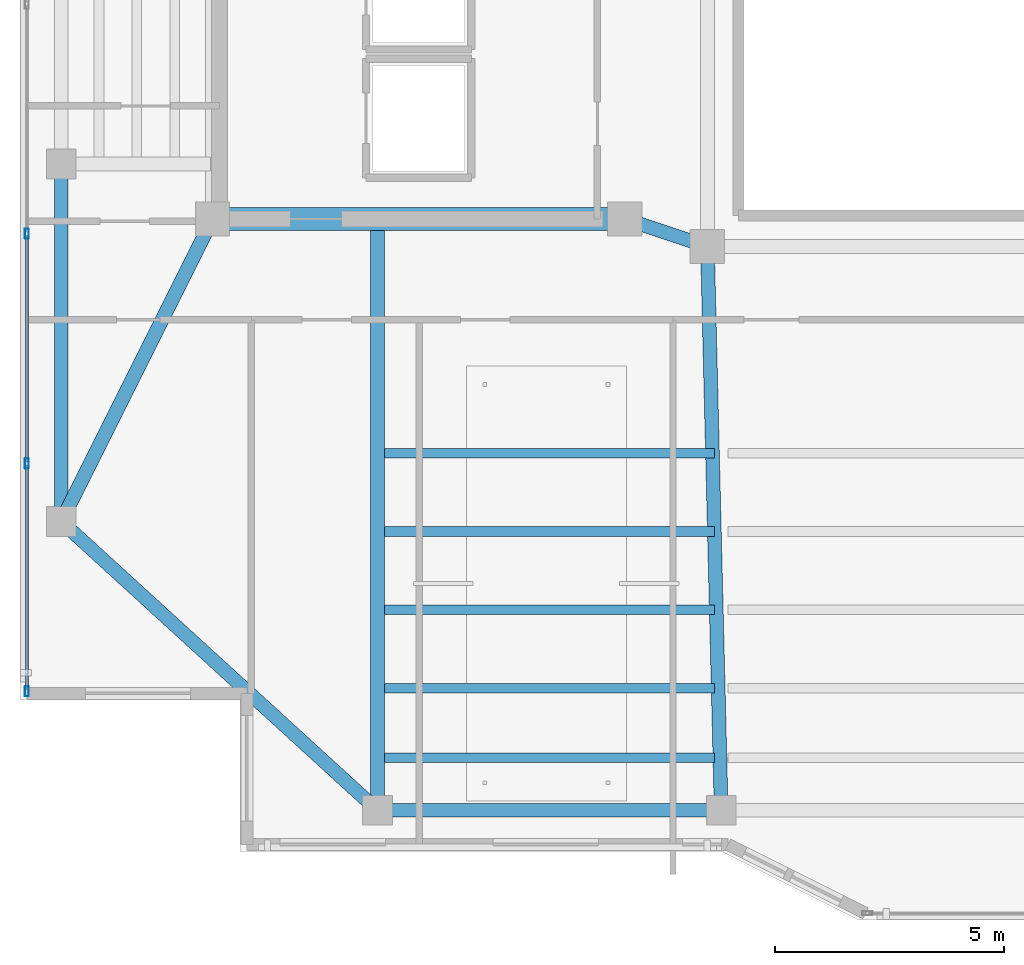
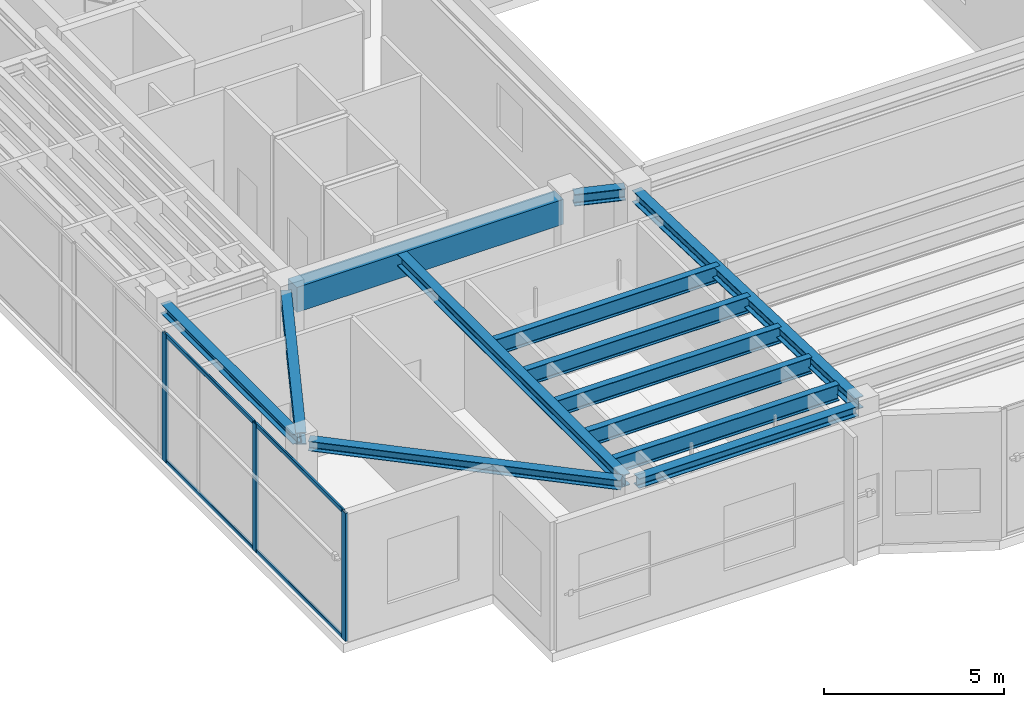
# One storey, part 2 of 25: 13 beams, 7 members, 1 element without a shape of its own.
"""IFC4 building model written with IfcOpenShell, lengths in metres."""

from ifc_helpers import new_model, si_unit, direction, frame, origin, origin_2d, place, context, subcontext, project, spatial, rectangle, hollow_rectangle, i_section, extrude, material, layer, layer_set, material_profile, profile_set, type_object, element, aggregate, save


model = new_model("IFC4")

# Units and contexts
model_context = context("Model", 3, precision=1e-05, world=origin(), true_north=direction((0.0, 1.0)))
body_context = subcontext(model_context, "Body", "Model", "MODEL_VIEW")
ifc_project = project(units=[si_unit("LENGTHUNIT", "METRE"), si_unit("AREAUNIT", "SQUARE_METRE"), si_unit("VOLUMEUNIT", "CUBIC_METRE"), si_unit("PLANEANGLEUNIT", "RADIAN"), si_unit("MASSUNIT", "GRAM", prefix="KILO")], contexts=[model_context])

# Site, building, storey
site_placement = place(None, origin())
site = spatial("IfcSite", under=ifc_project, at=site_placement, CompositionType="ELEMENT")
building_placement = place(site_placement, origin())
building = spatial("IfcBuilding", under=site, at=building_placement, Name="Tarnavaz Court Tower", CompositionType="ELEMENT")
storey_placement = place(building_placement, frame((0.0, 0.0, 271.64990234375)))
storey = spatial("IfcBuildingStorey", under=building, at=storey_placement, Name="L74", CompositionType="ELEMENT", Elevation=271.64990234375)

# Beams
ifc_material_1 = material(Name="Concrete C50/60", Category="concrete")
ifc_material_profile_1 = material_profile(ifc_material_1, rectangle(XDim=0.5, YDim=0.85009765625, at=origin_2d()), Name="RC 500X850")
ifc_profile_set_1 = profile_set([ifc_material_profile_1], Name="Concrete C50/60")
beam_type_1 = type_object("IfcBeamType", Name="BM-CB850", PredefinedType="LINTEL", material=ifc_profile_set_1)
beam_1_placement = place(storey_placement, frame((-18.3798828125, -7.199951171875, 3.925048828125), z_axis=(1.0, 0.0, 0.0), x_axis=(0.0, 1.0, 0.0)))
element("IfcBeam", 1, at=beam_1_placement, inside=storey, type_object=beam_type_1, Name="L74 Beam IN-CW-SO-CW-SI", PredefinedType="LINTEL", context=body_context, shape_type="SweptSolid", body=[
    extrude(rectangle(XDim=0.5, YDim=0.85009765625, at=origin_2d()), origin(), (0.0, 0.0, 1.0), 8.559814453125),
])
ifc_material_2 = material(Name="Steel S355", Category="steel")
ifc_material_profile_2 = material_profile(ifc_material_2, i_section(OverallWidth=0.300048828125, OverallDepth=0.39990234375, WebThickness=0.013427734375, FlangeThickness=0.02392578125, FilletRadius=0.027099609375, at=origin_2d()), Name="HEB 400")
ifc_profile_set_2 = profile_set([ifc_material_profile_2], Name="Steel S355")
beam_type_2 = type_object("IfcBeamType", Name="BM-G-HEB400", PredefinedType="USERDEFINED", material=ifc_profile_set_2)
beam_2_placement = place(storey_placement, frame((-9.391357421875, -7.26953125, 4.150146484375), z_axis=(0.948666544706, -0.316278021615, 0.0), x_axis=(0.316278021615, 0.948666544706, 0.0)))
element("IfcBeam", 2, at=beam_2_placement, inside=storey, type_object=beam_type_2, Name="L74 Beam IN-CW-SI-IW-SW", ObjectType="GIRDER", PredefinedType="USERDEFINED", context=body_context, shape_type="SweptSolid", body=[
    extrude(i_section(OverallWidth=0.300048828125, OverallDepth=0.39990234375, WebThickness=0.013427734375, FlangeThickness=0.02392578125, FilletRadius=0.027099609375, at=origin_2d()), origin(), (0.0, 0.0, 1.0), 1.457275390625),
])
beam_3_placement = place(storey_placement, frame((-15.0, -7.239990234375, 4.150146484375), z_axis=(0.0, -1.0, 0.0), x_axis=(1.0, 0.0, 0.0)))
element("IfcBeam", 3, at=beam_3_placement, inside=storey, type_object=beam_type_2, Name="L74 Beam RG-05", ObjectType="GIRDER", PredefinedType="USERDEFINED", context=body_context, shape_type="SweptSolid", body=[
    extrude(i_section(OverallWidth=0.300048828125, OverallDepth=0.39990234375, WebThickness=0.013427734375, FlangeThickness=0.02392578125, FilletRadius=0.027099609375, at=origin_2d()), origin(), (0.0, 0.0, 1.0), 12.639892578125),
])
beam_4_placement = place(storey_placement, frame((-7.794677734375, -8.02001953125, 4.150146484375), z_axis=(0.024386002211, -0.99970261723, 0.0), x_axis=(0.99970261723, 0.024386002211, 0.0)))
element("IfcBeam", 4, at=beam_4_placement, inside=storey, type_object=beam_type_2, Name="L74 Beam RG-06", ObjectType="GIRDER", PredefinedType="USERDEFINED", context=body_context, shape_type="SweptSolid", body=[
    extrude(i_section(OverallWidth=0.300048828125, OverallDepth=0.39990234375, WebThickness=0.013427734375, FlangeThickness=0.02392578125, FilletRadius=0.027099609375, at=origin_2d()), origin(), (0.0, 0.0, 1.0), 11.863525390625),
])
beam_5_placement = place(storey_placement, frame((-18.698486328125, -7.396728515625, 4.150146484375), z_axis=(-0.447185448279, -0.894441264057, 0.0), x_axis=(0.894441264057, -0.447185448279, 0.0)))
element("IfcBeam", 5, at=beam_5_placement, inside=storey, type_object=beam_type_2, Name="L74 Beam RG-15", ObjectType="GIRDER", PredefinedType="USERDEFINED", context=body_context, shape_type="SweptSolid", body=[
    extrude(i_section(OverallWidth=0.300048828125, OverallDepth=0.39990234375, WebThickness=0.013427734375, FlangeThickness=0.02392578125, FilletRadius=0.027099609375, at=origin_2d()), origin(), (0.0, 0.0, 1.0), 6.93896484375),
])
ifc_material_profile_3 = material_profile(ifc_material_2, i_section(OverallWidth=0.2099609375, OverallDepth=0.550048828125, WebThickness=0.010986328125, FlangeThickness=0.01708984375, FilletRadius=0.02392578125, at=origin_2d()), Name="IPE 550")
ifc_profile_set_3 = profile_set([ifc_material_profile_3], Name="Steel S355")
beam_type_3 = type_object("IfcBeamType", Name="BM-J-IPE550", PredefinedType="JOIST", material=ifc_profile_set_3)
for number, where, z_axis, x_axis, name in (
    (6, (-14.85009765625, -12.31005859375, 4.0751953125), (1.0, 0.0, 0.0), (0.0, 1.0, 0.0), "L74 Beam JS1-1"),
    (7, (-14.85009765625, -14.02001953125, 4.0751953125), (1.0, 0.0, 0.0), (0.0, 1.0, 0.0), "L74 Beam JS2-1"),
    (8, (-14.85009765625, -15.72998046875, 4.0751953125), (1.0, 0.0, 0.0), (0.0, 1.0, 0.0), "L74 Beam JS3-1"),
    (9, (-14.85009765625, -17.43994140625, 4.0751953125), (1.0, 0.0, 0.0), (0.0, 1.0, 0.0), "L74 Beam JS4-1"),
    (10, (-14.85009765625, -18.9599609375, 4.0751953125), (1.0, 0.0, 0.0), (0.0, 1.0, 0.0), "L74 Beam JS5-1"),
):
    element("IfcBeam", number, at=place(storey_placement, frame(where, z_axis=z_axis, x_axis=x_axis)), inside=storey, type_object=beam_type_3, Name=name, PredefinedType="JOIST", context=body_context, shape_type="SweptSolid", body=[
        extrude(i_section(OverallWidth=0.2099609375, OverallDepth=0.550048828125, WebThickness=0.010986328125, FlangeThickness=0.01708984375, FilletRadius=0.02392578125, at=origin_2d()), origin(), (0.0, 0.0, 1.0), 7.2001953125),
    ])
ifc_material_profile_4 = material_profile(ifc_material_2, i_section(OverallWidth=0.300048828125, OverallDepth=0.330078125, WebThickness=0.009521484375, FlangeThickness=0.0166015625, FilletRadius=0.027099609375, at=origin_2d()), Name="HEA 340")
ifc_profile_set_4 = profile_set([ifc_material_profile_4], Name="Steel S355")
beam_type_4 = type_object("IfcBeamType", Name="BM-SP-HEA340", PredefinedType="BEAM", material=ifc_profile_set_4)
beam_6_placement = place(storey_placement, frame((-14.780029296875, -20.10009765625, 4.18505859375), z_axis=(1.0, 0.0, 0.0), x_axis=(0.0, 1.0, 0.0)))
element("IfcBeam", 11, at=beam_6_placement, inside=storey, type_object=beam_type_4, Name="L74 Beam PR-PS-1-PS-2", PredefinedType="BEAM", context=body_context, shape_type="SweptSolid", body=[
    extrude(i_section(OverallWidth=0.300048828125, OverallDepth=0.330078125, WebThickness=0.009521484375, FlangeThickness=0.0166015625, FilletRadius=0.027099609375, at=origin_2d()), origin(), (0.0, 0.0, 1.0), 7.06005859375),
])
beam_7_placement = place(storey_placement, frame((-21.89990234375, -13.580078125, 4.18505859375), z_axis=(0.0, 1.0, 0.0), x_axis=(-1.0, 0.0, 0.0)))
element("IfcBeam", 12, at=beam_7_placement, inside=storey, type_object=beam_type_4, Name="L74 Beam PR-PW-1-PW-2", PredefinedType="BEAM", context=body_context, shape_type="SweptSolid", body=[
    extrude(i_section(OverallWidth=0.300048828125, OverallDepth=0.330078125, WebThickness=0.009521484375, FlangeThickness=0.0166015625, FilletRadius=0.027099609375, at=origin_2d()), origin(), (0.0, 0.0, 1.0), 7.360107421875),
])
beam_8_placement = place(storey_placement, frame((-15.16259765625, -19.95166015625, 4.18505859375), z_axis=(-0.738474214476, 0.674281717499, 0.0), x_axis=(-0.674281717499, -0.738474214476, 0.0)))
element("IfcBeam", 13, at=beam_8_placement, inside=storey, type_object=beam_type_4, Name="L74 Beam PR-PS-1-PW-1", PredefinedType="BEAM", context=body_context, shape_type="SweptSolid", body=[
    extrude(i_section(OverallWidth=0.300048828125, OverallDepth=0.330078125, WebThickness=0.009521484375, FlangeThickness=0.0166015625, FilletRadius=0.027099609375, at=origin_2d()), origin(), (0.0, 0.0, 1.0), 8.9033203125),
])

# Curtain wall, members
ifc_material_3 = material(Name="Anodised Aluminium 6063-T6 and Solar Low-E Glazing", Category="aluminium")
ifc_layer = layer(ifc_material_3, 0.2099609375)
ifc_layer_set = layer_set([ifc_layer], Name="Anodised Aluminium 6063-T6 and Solar Low-E Glazing")
curtain_wall_type = type_object("IfcCurtainWallType", Name="CW-SYS-06", PredefinedType="NOTDEFINED", material=ifc_layer_set)
curtain_wall_placement = place(storey_placement, origin())
curtain_wall = element("IfcCurtainWall", 14, at=curtain_wall_placement, inside=storey, type_object=curtain_wall_type, Name="L74 Observation Curtain Wall 2", PredefinedType="NOTDEFINED")
ifc_material_4 = material(Name="Anodised Aluminium 6063-T6", Category="aluminium")
ifc_material_profile_5 = material_profile(ifc_material_4, hollow_rectangle(XDim=0.0849609375, YDim=0.219970703125, WallThickness=0.006103515625, InnerFilletRadius=0.006103515625, OuterFilletRadius=0.011962890625, at=origin_2d()), Name="ALU RHS 220X85X6")
ifc_profile_set_5 = profile_set([ifc_material_profile_5], Name="Anodised Aluminium 6063-T6")
member_type_1 = type_object("IfcMemberType", Name="CW-MUL-220", PredefinedType="MULLION", material=ifc_profile_set_5)
member_1_placement = place(storey_placement, frame((-22.64990234375, -17.507568359375, 0.0), z_axis=(0.0, 0.0, 1.0), x_axis=(-1.0, 0.0, 0.0)))
member_1 = element("IfcMember", 15, at=member_1_placement, type_object=member_type_1, Name="CW mullion 1", PredefinedType="MULLION", context=body_context, shape_type="SweptSolid", body=[
    extrude(hollow_rectangle(XDim=0.0849609375, YDim=0.219970703125, WallThickness=0.006103515625, InnerFilletRadius=0.006103515625, OuterFilletRadius=0.011962890625, at=origin_2d()), origin(), (0.0, 0.0, 1.0), 4.35009765625),
])
member_2_placement = place(storey_placement, frame((-22.64990234375, -12.53564453125, 0.0), z_axis=(0.0, 0.0, 1.0), x_axis=(-1.0, 0.0, 0.0)))
member_2 = element("IfcMember", 16, at=member_2_placement, type_object=member_type_1, Name="CW mullion 2", PredefinedType="MULLION", context=body_context, shape_type="SweptSolid", body=[
    extrude(hollow_rectangle(XDim=0.0849609375, YDim=0.219970703125, WallThickness=0.006103515625, InnerFilletRadius=0.006103515625, OuterFilletRadius=0.011962890625, at=origin_2d()), origin(), (0.0, 0.0, 1.0), 4.35009765625),
])
member_3_placement = place(storey_placement, frame((-22.64990234375, -7.521484375, 0.0), z_axis=(0.0, 0.0, 1.0), x_axis=(-1.0, 0.0, 0.0)))
member_3 = element("IfcMember", 17, at=member_3_placement, type_object=member_type_1, Name="CW mullion 3", PredefinedType="MULLION", context=body_context, shape_type="SweptSolid", body=[
    extrude(hollow_rectangle(XDim=0.0849609375, YDim=0.219970703125, WallThickness=0.006103515625, InnerFilletRadius=0.006103515625, OuterFilletRadius=0.011962890625, at=origin_2d()), origin(), (0.0, 0.0, 1.0), 4.35009765625),
])
ifc_material_profile_6 = material_profile(ifc_material_4, hollow_rectangle(XDim=0.06494140625, YDim=0.139892578125, WallThickness=0.00390625, InnerFilletRadius=0.00390625, OuterFilletRadius=0.008056640625, at=origin_2d()), Name="ALU RHS 140X65X4")
ifc_profile_set_6 = profile_set([ifc_material_profile_6], Name="Anodised Aluminium 6063-T6")
member_type_2 = type_object("IfcMemberType", Name="CW-TRN-140", PredefinedType="USERDEFINED", material=ifc_profile_set_6)
member_4_placement = place(storey_placement, frame((-22.64990234375, -17.465087890625, 0.03271484375), z_axis=(0.0, 1.0, 0.0), x_axis=(-1.0, 0.0, 0.0)))
member_4 = element("IfcMember", 18, at=member_4_placement, type_object=member_type_2, Name="CW transom 1.1", ObjectType="TRANSOM", PredefinedType="USERDEFINED", context=body_context, shape_type="SweptSolid", body=[
    extrude(hollow_rectangle(XDim=0.06494140625, YDim=0.139892578125, WallThickness=0.00390625, InnerFilletRadius=0.00390625, OuterFilletRadius=0.008056640625, at=origin_2d()), origin(), (0.0, 0.0, 1.0), 4.886962890625),
])
member_5_placement = place(storey_placement, frame((-22.64990234375, -17.465087890625, 4.317626953125), z_axis=(0.0, 1.0, 0.0), x_axis=(-1.0, 0.0, 0.0)))
member_5 = element("IfcMember", 19, at=member_5_placement, type_object=member_type_2, Name="CW transom 1.2", ObjectType="TRANSOM", PredefinedType="USERDEFINED", context=body_context, shape_type="SweptSolid", body=[
    extrude(hollow_rectangle(XDim=0.06494140625, YDim=0.139892578125, WallThickness=0.00390625, InnerFilletRadius=0.00390625, OuterFilletRadius=0.008056640625, at=origin_2d()), origin(), (0.0, 0.0, 1.0), 4.886962890625),
])
member_6_placement = place(storey_placement, frame((-22.64990234375, -12.4931640625, 0.03271484375), z_axis=(0.0, 1.0, 0.0), x_axis=(-1.0, 0.0, 0.0)))
member_6 = element("IfcMember", 20, at=member_6_placement, type_object=member_type_2, Name="CW transom 2.1", ObjectType="TRANSOM", PredefinedType="USERDEFINED", context=body_context, shape_type="SweptSolid", body=[
    extrude(hollow_rectangle(XDim=0.06494140625, YDim=0.139892578125, WallThickness=0.00390625, InnerFilletRadius=0.00390625, OuterFilletRadius=0.008056640625, at=origin_2d()), origin(), (0.0, 0.0, 1.0), 4.92919921875),
])
member_7_placement = place(storey_placement, frame((-22.64990234375, -12.4931640625, 4.317626953125), z_axis=(0.0, 1.0, 0.0), x_axis=(-1.0, 0.0, 0.0)))
member_7 = element("IfcMember", 21, at=member_7_placement, type_object=member_type_2, Name="CW transom 2.2", ObjectType="TRANSOM", PredefinedType="USERDEFINED", context=body_context, shape_type="SweptSolid", body=[
    extrude(hollow_rectangle(XDim=0.06494140625, YDim=0.139892578125, WallThickness=0.00390625, InnerFilletRadius=0.00390625, OuterFilletRadius=0.008056640625, at=origin_2d()), origin(), (0.0, 0.0, 1.0), 4.92919921875),
])
aggregate(curtain_wall, [member_1, member_2, member_3, member_4, member_5, member_6, member_7])

save(model, "model.ifc")
